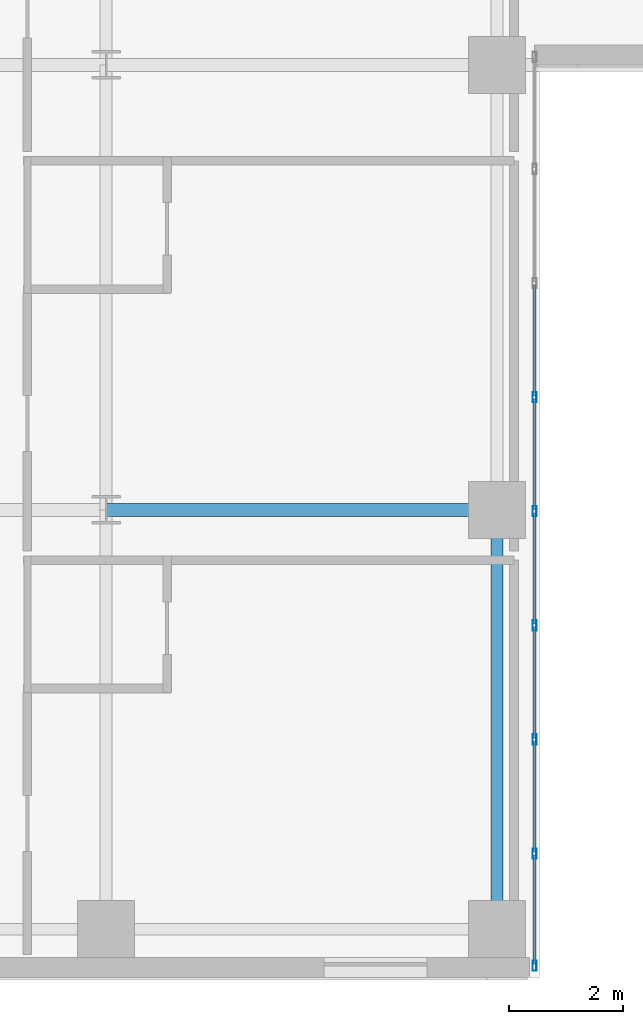
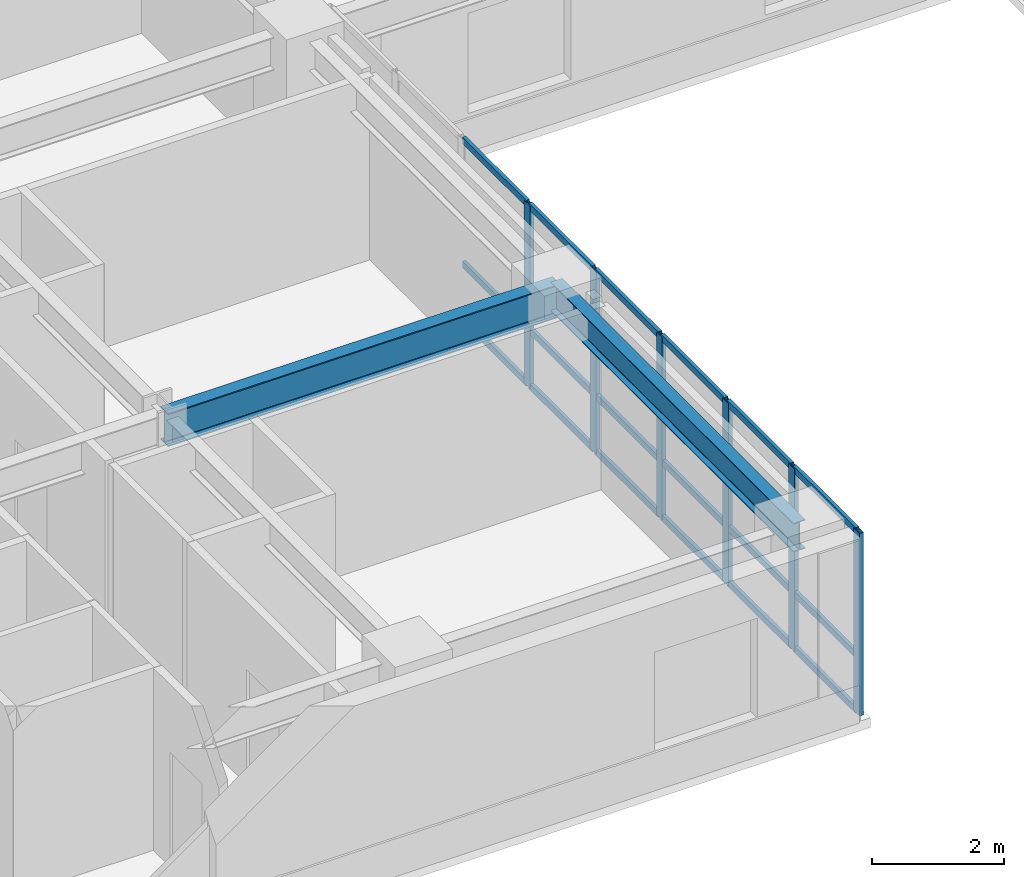
# One storey, part 2 of 25: 24 members, 2 beams, 1 element without a shape of its own.
"""IFC4 building model written with IfcOpenShell, lengths in metres."""

from ifc_helpers import new_model, si_unit, direction, frame, origin, origin_2d, place, context, subcontext, project, spatial, hollow_rectangle, i_section, extrude, source, transform, mapped, material, layer, layer_set, material_profile, profile_set, type_object, type_shapes, element, aggregate, save


model = new_model("IFC4")

# Units and contexts
model_context = context("Model", 3, precision=1e-05, world=origin(), true_north=direction((0.0, 1.0)))
body_context = subcontext(model_context, "Body", "Model", "MODEL_VIEW")
ifc_project = project(units=[si_unit("LENGTHUNIT", "METRE"), si_unit("AREAUNIT", "SQUARE_METRE"), si_unit("VOLUMEUNIT", "CUBIC_METRE"), si_unit("PLANEANGLEUNIT", "RADIAN"), si_unit("MASSUNIT", "GRAM", prefix="KILO")], contexts=[model_context])

# Site, building, storey
site_placement = place(None, origin())
site = spatial("IfcSite", under=ifc_project, at=site_placement, CompositionType="ELEMENT")
building_placement = place(site_placement, origin())
building = spatial("IfcBuilding", under=site, at=building_placement, Name="Tolvann Quenvar Hotel", CompositionType="ELEMENT")
storey_placement = place(building_placement, frame((0.0, 0.0, 39.10009765625)))
storey = spatial("IfcBuildingStorey", under=building, at=storey_placement, Name="L08", CompositionType="ELEMENT", Elevation=39.10009765625)

# Beams
ifc_material_1 = material(Name="Steel Grade 350", Category="steel")
ifc_material_profile_1 = material_profile(ifc_material_1, i_section(OverallWidth=0.22900390625, OverallDepth=0.612060546875, WebThickness=0.011962890625, FlangeThickness=0.01953125, FilletRadius=0.013916015625, at=origin_2d()), Name="610UB125")
ifc_profile_set_1 = profile_set([ifc_material_profile_1], Name="Steel Grade 350")
beam_type_1 = type_object("IfcBeamType", Name="BM_GIRD_610UB125", PredefinedType="BEAM", material=ifc_profile_set_1)
shared_shape_1 = source(origin(), body_context, "Body", "SweptSolid", [
    extrude(i_section(OverallWidth=0.22900390625, OverallDepth=0.612060546875, WebThickness=0.011962890625, FlangeThickness=0.01953125, FilletRadius=0.013916015625, at=origin_2d()), origin(), (0.0, 0.0, 1.0), 6.85009765625),
])
type_shapes(beam_type_1, [shared_shape_1])
beam_1_placement = place(storey_placement, frame((15.199951171875, 8.199951171875, 3.06396484375), z_axis=(1.0, 0.0, 0.0), x_axis=(0.0, 1.0, 0.0)))
element("IfcBeam", 1, at=beam_1_placement, inside=storey, type_object=beam_type_1, Name="BM-L08-EW-3-D3-E3", PredefinedType="BEAM", context=body_context, shape_type="MappedRepresentation", body=[
    mapped(shared_shape_1, transform((0.0, 0.0, 0.0), x_axis=(1.0, 0.0, 0.0), y_axis=(0.0, 1.0, 0.0), z_axis=(0.0, 0.0, 1.0), scale=1.0)),
])
ifc_material_profile_2 = material_profile(ifc_material_1, i_section(OverallWidth=0.208984375, OverallDepth=0.532958984375, WebThickness=0.01025390625, FlangeThickness=0.015625, FilletRadius=0.013916015625, at=origin_2d()), Name="530UB92")
ifc_profile_set_2 = profile_set([ifc_material_profile_2], Name="Steel Grade 350")
beam_type_2 = type_object("IfcBeamType", Name="BM_GIRD_530UB92", PredefinedType="BEAM", material=ifc_profile_set_2)
shared_shape_2 = source(origin(), body_context, "Body", "SweptSolid", [
    extrude(i_section(OverallWidth=0.208984375, OverallDepth=0.532958984375, WebThickness=0.01025390625, FlangeThickness=0.015625, FilletRadius=0.013916015625, at=origin_2d()), origin(), (0.0, 0.0, 1.0), 7.349853515625),
])
type_shapes(beam_type_2, [shared_shape_2])
beam_2_placement = place(storey_placement, frame((22.050048828125, 0.85009765625, 3.103515625), z_axis=(0.0, 1.0, 0.0), x_axis=(-1.0, 0.0, 0.0)))
element("IfcBeam", 2, at=beam_2_placement, inside=storey, type_object=beam_type_2, Name="BM-L08-NS-E2-E3", PredefinedType="BEAM", context=body_context, shape_type="MappedRepresentation", body=[
    mapped(shared_shape_2, transform((0.0, 0.0, 0.0), x_axis=(1.0, 0.0, 0.0), y_axis=(0.0, 1.0, 0.0), z_axis=(0.0, 0.0, 1.0), scale=1.0)),
])

# Curtain wall, members
ifc_material_2 = material(Name="Thermally broken anodised architectural aluminium 6063-T6 and laminated low-E glass", Category="aluminium")
ifc_layer = layer(ifc_material_2, 0.179931640625)
ifc_layer_set = layer_set([ifc_layer], Name="Thermally broken anodised architectural aluminium 6063-T6 and laminated low-E glass")
curtain_wall_type = type_object("IfcCurtainWallType", Name="CW_SYS_SLOT_03", PredefinedType="USERDEFINED", material=ifc_layer_set)
curtain_wall_placement = place(storey_placement, origin())
curtain_wall = element("IfcCurtainWall", 3, at=curtain_wall_placement, inside=storey, type_object=curtain_wall_type, Name="Curtain Wall CW-SLOT-03 (CWR-L08-E05)", ObjectType="UNITISED CURTAIN WALL", PredefinedType="USERDEFINED")
ifc_material_3 = material(Name="Anodised architectural aluminium 6063-T6 framing", Category="aluminium")
ifc_material_profile_3 = material_profile(ifc_material_3, hollow_rectangle(XDim=0.06005859375, YDim=0.1201171875, WallThickness=0.00341796875, at=origin_2d()), Name="120x60x3.5RHS")
ifc_profile_set_3 = profile_set([ifc_material_profile_3], Name="Anodised architectural aluminium 6063-T6 framing")
member_type_1 = type_object("IfcMemberType", Name="CW_TRAN_120x60", PredefinedType="USERDEFINED", material=ifc_profile_set_3)
shared_shape_3 = source(origin(), body_context, "Body", "SweptSolid", [
    extrude(hollow_rectangle(XDim=0.06005859375, YDim=0.1201171875, WallThickness=0.00341796875, at=origin_2d()), origin(), (0.0, 0.0, 1.0), 1.894775390625),
])
member_1_placement = place(storey_placement, frame((22.7099609375, 0.2451171875, 0.02978515625), z_axis=(0.0, 1.0, 0.0), x_axis=(-1.0, 0.0, 0.0)))
member_1 = element("IfcMember", 4, at=member_1_placement, type_object=member_type_1, Name="CW-SLOT-03 transom 1.1", ObjectType="TRANSOM", PredefinedType="USERDEFINED", context=body_context, shape_type="MappedRepresentation", body=[
    mapped(shared_shape_3, transform((0.0, 0.0, 0.0), x_axis=(1.0, 0.0, 0.0), y_axis=(0.0, 1.0, 0.0), z_axis=(0.0, 0.0, 1.0), scale=1.0)),
])
member_2_placement = place(storey_placement, frame((22.7099609375, 0.2451171875, 1.0498046875), z_axis=(0.0, 1.0, 0.0), x_axis=(-1.0, 0.0, 0.0)))
member_2 = element("IfcMember", 5, at=member_2_placement, type_object=member_type_1, Name="CW-SLOT-03 transom 1.2", ObjectType="TRANSOM", PredefinedType="USERDEFINED", context=body_context, shape_type="MappedRepresentation", body=[
    mapped(shared_shape_3, transform((0.0, 0.0, 0.0), x_axis=(1.0, 0.0, 0.0), y_axis=(0.0, 1.0, 0.0), z_axis=(0.0, 0.0, 1.0), scale=1.0)),
])
member_3_placement = place(storey_placement, frame((22.7099609375, 0.2451171875, 3.33984375), z_axis=(0.0, 1.0, 0.0), x_axis=(-1.0, 0.0, 0.0)))
member_3 = element("IfcMember", 6, at=member_3_placement, type_object=member_type_1, Name="CW-SLOT-03 transom 1.3", ObjectType="TRANSOM", PredefinedType="USERDEFINED", context=body_context, shape_type="MappedRepresentation", body=[
    mapped(shared_shape_3, transform((0.0, 0.0, 0.0), x_axis=(1.0, 0.0, 0.0), y_axis=(0.0, 1.0, 0.0), z_axis=(0.0, 0.0, 1.0), scale=1.0)),
])
shared_shape_4 = source(origin(), body_context, "Body", "SweptSolid", [
    extrude(hollow_rectangle(XDim=0.06005859375, YDim=0.1201171875, WallThickness=0.00341796875, at=origin_2d()), origin(), (0.0, 0.0, 1.0), 1.929931640625),
])
type_shapes(member_type_1, [shared_shape_3, shared_shape_4])
member_4_placement = place(storey_placement, frame((22.7099609375, 2.2099609375, 0.02978515625), z_axis=(0.0, 1.0, 0.0), x_axis=(-1.0, 0.0, 0.0)))
member_4 = element("IfcMember", 7, at=member_4_placement, type_object=member_type_1, Name="CW-SLOT-03 transom 2.1", ObjectType="TRANSOM", PredefinedType="USERDEFINED", context=body_context, shape_type="MappedRepresentation", body=[
    mapped(shared_shape_4, transform((0.0, 0.0, 0.0), x_axis=(1.0, 0.0, 0.0), y_axis=(0.0, 1.0, 0.0), z_axis=(0.0, 0.0, 1.0), scale=1.0)),
])
member_5_placement = place(storey_placement, frame((22.7099609375, 2.2099609375, 1.0498046875), z_axis=(0.0, 1.0, 0.0), x_axis=(-1.0, 0.0, 0.0)))
member_5 = element("IfcMember", 8, at=member_5_placement, type_object=member_type_1, Name="CW-SLOT-03 transom 2.2", ObjectType="TRANSOM", PredefinedType="USERDEFINED", context=body_context, shape_type="MappedRepresentation", body=[
    mapped(shared_shape_4, transform((0.0, 0.0, 0.0), x_axis=(1.0, 0.0, 0.0), y_axis=(0.0, 1.0, 0.0), z_axis=(0.0, 0.0, 1.0), scale=1.0)),
])
member_6_placement = place(storey_placement, frame((22.7099609375, 2.2099609375, 3.33984375), z_axis=(0.0, 1.0, 0.0), x_axis=(-1.0, 0.0, 0.0)))
member_6 = element("IfcMember", 9, at=member_6_placement, type_object=member_type_1, Name="CW-SLOT-03 transom 2.3", ObjectType="TRANSOM", PredefinedType="USERDEFINED", context=body_context, shape_type="MappedRepresentation", body=[
    mapped(shared_shape_4, transform((0.0, 0.0, 0.0), x_axis=(1.0, 0.0, 0.0), y_axis=(0.0, 1.0, 0.0), z_axis=(0.0, 0.0, 1.0), scale=1.0)),
])
member_7_placement = place(storey_placement, frame((22.7099609375, 4.2099609375, 0.02978515625), z_axis=(0.0, 1.0, 0.0), x_axis=(-1.0, 0.0, 0.0)))
member_7 = element("IfcMember", 10, at=member_7_placement, type_object=member_type_1, Name="CW-SLOT-03 transom 3.1", ObjectType="TRANSOM", PredefinedType="USERDEFINED", context=body_context, shape_type="MappedRepresentation", body=[
    mapped(shared_shape_4, transform((0.0, 0.0, 0.0), x_axis=(1.0, 0.0, 0.0), y_axis=(0.0, 1.0, 0.0), z_axis=(0.0, 0.0, 1.0), scale=1.0)),
])
member_8_placement = place(storey_placement, frame((22.7099609375, 4.2099609375, 1.0498046875), z_axis=(0.0, 1.0, 0.0), x_axis=(-1.0, 0.0, 0.0)))
member_8 = element("IfcMember", 11, at=member_8_placement, type_object=member_type_1, Name="CW-SLOT-03 transom 3.2", ObjectType="TRANSOM", PredefinedType="USERDEFINED", context=body_context, shape_type="MappedRepresentation", body=[
    mapped(shared_shape_4, transform((0.0, 0.0, 0.0), x_axis=(1.0, 0.0, 0.0), y_axis=(0.0, 1.0, 0.0), z_axis=(0.0, 0.0, 1.0), scale=1.0)),
])
member_9_placement = place(storey_placement, frame((22.7099609375, 4.2099609375, 3.33984375), z_axis=(0.0, 1.0, 0.0), x_axis=(-1.0, 0.0, 0.0)))
member_9 = element("IfcMember", 12, at=member_9_placement, type_object=member_type_1, Name="CW-SLOT-03 transom 3.3", ObjectType="TRANSOM", PredefinedType="USERDEFINED", context=body_context, shape_type="MappedRepresentation", body=[
    mapped(shared_shape_4, transform((0.0, 0.0, 0.0), x_axis=(1.0, 0.0, 0.0), y_axis=(0.0, 1.0, 0.0), z_axis=(0.0, 0.0, 1.0), scale=1.0)),
])
member_10_placement = place(storey_placement, frame((22.7099609375, 6.2099609375, 0.02978515625), z_axis=(0.0, 1.0, 0.0), x_axis=(-1.0, 0.0, 0.0)))
member_10 = element("IfcMember", 13, at=member_10_placement, type_object=member_type_1, Name="CW-SLOT-03 transom 4.1", ObjectType="TRANSOM", PredefinedType="USERDEFINED", context=body_context, shape_type="MappedRepresentation", body=[
    mapped(shared_shape_4, transform((0.0, 0.0, 0.0), x_axis=(1.0, 0.0, 0.0), y_axis=(0.0, 1.0, 0.0), z_axis=(0.0, 0.0, 1.0), scale=1.0)),
])
member_11_placement = place(storey_placement, frame((22.7099609375, 6.2099609375, 1.0498046875), z_axis=(0.0, 1.0, 0.0), x_axis=(-1.0, 0.0, 0.0)))
member_11 = element("IfcMember", 14, at=member_11_placement, type_object=member_type_1, Name="CW-SLOT-03 transom 4.2", ObjectType="TRANSOM", PredefinedType="USERDEFINED", context=body_context, shape_type="MappedRepresentation", body=[
    mapped(shared_shape_4, transform((0.0, 0.0, 0.0), x_axis=(1.0, 0.0, 0.0), y_axis=(0.0, 1.0, 0.0), z_axis=(0.0, 0.0, 1.0), scale=1.0)),
])
member_12_placement = place(storey_placement, frame((22.7099609375, 6.2099609375, 3.33984375), z_axis=(0.0, 1.0, 0.0), x_axis=(-1.0, 0.0, 0.0)))
member_12 = element("IfcMember", 15, at=member_12_placement, type_object=member_type_1, Name="CW-SLOT-03 transom 4.3", ObjectType="TRANSOM", PredefinedType="USERDEFINED", context=body_context, shape_type="MappedRepresentation", body=[
    mapped(shared_shape_4, transform((0.0, 0.0, 0.0), x_axis=(1.0, 0.0, 0.0), y_axis=(0.0, 1.0, 0.0), z_axis=(0.0, 0.0, 1.0), scale=1.0)),
])
member_13_placement = place(storey_placement, frame((22.7099609375, 8.2099609375, 0.02978515625), z_axis=(0.0, 1.0, 0.0), x_axis=(-1.0, 0.0, 0.0)))
member_13 = element("IfcMember", 16, at=member_13_placement, type_object=member_type_1, Name="CW-SLOT-03 transom 5.1", ObjectType="TRANSOM", PredefinedType="USERDEFINED", context=body_context, shape_type="MappedRepresentation", body=[
    mapped(shared_shape_4, transform((0.0, 0.0, 0.0), x_axis=(1.0, 0.0, 0.0), y_axis=(0.0, 1.0, 0.0), z_axis=(0.0, 0.0, 1.0), scale=1.0)),
])
member_14_placement = place(storey_placement, frame((22.7099609375, 8.2099609375, 1.0498046875), z_axis=(0.0, 1.0, 0.0), x_axis=(-1.0, 0.0, 0.0)))
member_14 = element("IfcMember", 17, at=member_14_placement, type_object=member_type_1, Name="CW-SLOT-03 transom 5.2", ObjectType="TRANSOM", PredefinedType="USERDEFINED", context=body_context, shape_type="MappedRepresentation", body=[
    mapped(shared_shape_4, transform((0.0, 0.0, 0.0), x_axis=(1.0, 0.0, 0.0), y_axis=(0.0, 1.0, 0.0), z_axis=(0.0, 0.0, 1.0), scale=1.0)),
])
member_15_placement = place(storey_placement, frame((22.7099609375, 8.2099609375, 3.33984375), z_axis=(0.0, 1.0, 0.0), x_axis=(-1.0, 0.0, 0.0)))
member_15 = element("IfcMember", 18, at=member_15_placement, type_object=member_type_1, Name="CW-SLOT-03 transom 5.3", ObjectType="TRANSOM", PredefinedType="USERDEFINED", context=body_context, shape_type="MappedRepresentation", body=[
    mapped(shared_shape_4, transform((0.0, 0.0, 0.0), x_axis=(1.0, 0.0, 0.0), y_axis=(0.0, 1.0, 0.0), z_axis=(0.0, 0.0, 1.0), scale=1.0)),
])
member_16_placement = place(storey_placement, frame((22.7099609375, 10.2099609375, 0.02978515625), z_axis=(0.0, 1.0, 0.0), x_axis=(-1.0, 0.0, 0.0)))
member_16 = element("IfcMember", 19, at=member_16_placement, type_object=member_type_1, Name="CW-SLOT-03 transom 6.1", ObjectType="TRANSOM", PredefinedType="USERDEFINED", context=body_context, shape_type="MappedRepresentation", body=[
    mapped(shared_shape_4, transform((0.0, 0.0, 0.0), x_axis=(1.0, 0.0, 0.0), y_axis=(0.0, 1.0, 0.0), z_axis=(0.0, 0.0, 1.0), scale=1.0)),
])
member_17_placement = place(storey_placement, frame((22.7099609375, 10.2099609375, 1.0498046875), z_axis=(0.0, 1.0, 0.0), x_axis=(-1.0, 0.0, 0.0)))
member_17 = element("IfcMember", 20, at=member_17_placement, type_object=member_type_1, Name="CW-SLOT-03 transom 6.2", ObjectType="TRANSOM", PredefinedType="USERDEFINED", context=body_context, shape_type="MappedRepresentation", body=[
    mapped(shared_shape_4, transform((0.0, 0.0, 0.0), x_axis=(1.0, 0.0, 0.0), y_axis=(0.0, 1.0, 0.0), z_axis=(0.0, 0.0, 1.0), scale=1.0)),
])
member_18_placement = place(storey_placement, frame((22.7099609375, 10.2099609375, 3.33984375), z_axis=(0.0, 1.0, 0.0), x_axis=(-1.0, 0.0, 0.0)))
member_18 = element("IfcMember", 21, at=member_18_placement, type_object=member_type_1, Name="CW-SLOT-03 transom 6.3", ObjectType="TRANSOM", PredefinedType="USERDEFINED", context=body_context, shape_type="MappedRepresentation", body=[
    mapped(shared_shape_4, transform((0.0, 0.0, 0.0), x_axis=(1.0, 0.0, 0.0), y_axis=(0.0, 1.0, 0.0), z_axis=(0.0, 0.0, 1.0), scale=1.0)),
])
ifc_material_profile_4 = material_profile(ifc_material_3, hollow_rectangle(XDim=0.070068359375, YDim=0.179931640625, WallThickness=0.00390625, at=origin_2d()), Name="180x70x4RHS")
ifc_profile_set_4 = profile_set([ifc_material_profile_4], Name="Anodised architectural aluminium 6063-T6 framing")
member_type_2 = type_object("IfcMemberType", Name="CW_MULL_180x70", PredefinedType="MULLION", material=ifc_profile_set_4)
shared_shape_5 = source(origin(), body_context, "Body", "SweptSolid", [
    extrude(hollow_rectangle(XDim=0.070068359375, YDim=0.179931640625, WallThickness=0.00390625, at=origin_2d()), origin(), (0.0, 0.0, 1.0), 3.369873046875),
])
type_shapes(member_type_2, [shared_shape_5])
member_19_placement = place(storey_placement, frame((22.7099609375, 0.2099609375, 0.0), z_axis=(0.0, 0.0, 1.0), x_axis=(-1.0, 0.0, 0.0)))
member_19 = element("IfcMember", 22, at=member_19_placement, type_object=member_type_2, Name="CW-SLOT-03 mullion 1", PredefinedType="MULLION", context=body_context, shape_type="MappedRepresentation", body=[
    mapped(shared_shape_5, transform((0.0, 0.0, 0.0), x_axis=(1.0, 0.0, 0.0), y_axis=(0.0, 1.0, 0.0), z_axis=(0.0, 0.0, 1.0), scale=1.0)),
])
member_20_placement = place(storey_placement, frame((22.7099609375, 2.175048828125, 0.0), z_axis=(0.0, 0.0, 1.0), x_axis=(-1.0, 0.0, 0.0)))
member_20 = element("IfcMember", 23, at=member_20_placement, type_object=member_type_2, Name="CW-SLOT-03 mullion 2", PredefinedType="MULLION", context=body_context, shape_type="MappedRepresentation", body=[
    mapped(shared_shape_5, transform((0.0, 0.0, 0.0), x_axis=(1.0, 0.0, 0.0), y_axis=(0.0, 1.0, 0.0), z_axis=(0.0, 0.0, 1.0), scale=1.0)),
])
member_21_placement = place(storey_placement, frame((22.7099609375, 4.175048828125, 0.0), z_axis=(0.0, 0.0, 1.0), x_axis=(-1.0, 0.0, 0.0)))
member_21 = element("IfcMember", 24, at=member_21_placement, type_object=member_type_2, Name="CW-SLOT-03 mullion 3", PredefinedType="MULLION", context=body_context, shape_type="MappedRepresentation", body=[
    mapped(shared_shape_5, transform((0.0, 0.0, 0.0), x_axis=(1.0, 0.0, 0.0), y_axis=(0.0, 1.0, 0.0), z_axis=(0.0, 0.0, 1.0), scale=1.0)),
])
member_22_placement = place(storey_placement, frame((22.7099609375, 6.175048828125, 0.0), z_axis=(0.0, 0.0, 1.0), x_axis=(-1.0, 0.0, 0.0)))
member_22 = element("IfcMember", 25, at=member_22_placement, type_object=member_type_2, Name="CW-SLOT-03 mullion 4", PredefinedType="MULLION", context=body_context, shape_type="MappedRepresentation", body=[
    mapped(shared_shape_5, transform((0.0, 0.0, 0.0), x_axis=(1.0, 0.0, 0.0), y_axis=(0.0, 1.0, 0.0), z_axis=(0.0, 0.0, 1.0), scale=1.0)),
])
member_23_placement = place(storey_placement, frame((22.7099609375, 8.175048828125, 0.0), z_axis=(0.0, 0.0, 1.0), x_axis=(-1.0, 0.0, 0.0)))
member_23 = element("IfcMember", 26, at=member_23_placement, type_object=member_type_2, Name="CW-SLOT-03 mullion 5", PredefinedType="MULLION", context=body_context, shape_type="MappedRepresentation", body=[
    mapped(shared_shape_5, transform((0.0, 0.0, 0.0), x_axis=(1.0, 0.0, 0.0), y_axis=(0.0, 1.0, 0.0), z_axis=(0.0, 0.0, 1.0), scale=1.0)),
])
member_24_placement = place(storey_placement, frame((22.7099609375, 10.175048828125, 0.0), z_axis=(0.0, 0.0, 1.0), x_axis=(-1.0, 0.0, 0.0)))
member_24 = element("IfcMember", 27, at=member_24_placement, type_object=member_type_2, Name="CW-SLOT-03 mullion 6", PredefinedType="MULLION", context=body_context, shape_type="MappedRepresentation", body=[
    mapped(shared_shape_5, transform((0.0, 0.0, 0.0), x_axis=(1.0, 0.0, 0.0), y_axis=(0.0, 1.0, 0.0), z_axis=(0.0, 0.0, 1.0), scale=1.0)),
])
aggregate(curtain_wall, [member_19, member_20, member_21, member_22, member_23, member_24, member_1, member_2, member_3, member_4, member_5, member_6, member_7, member_8, member_9, member_10, member_11, member_12, member_13, member_14, member_15, member_16, member_17, member_18])

save(model, "model.ifc")
